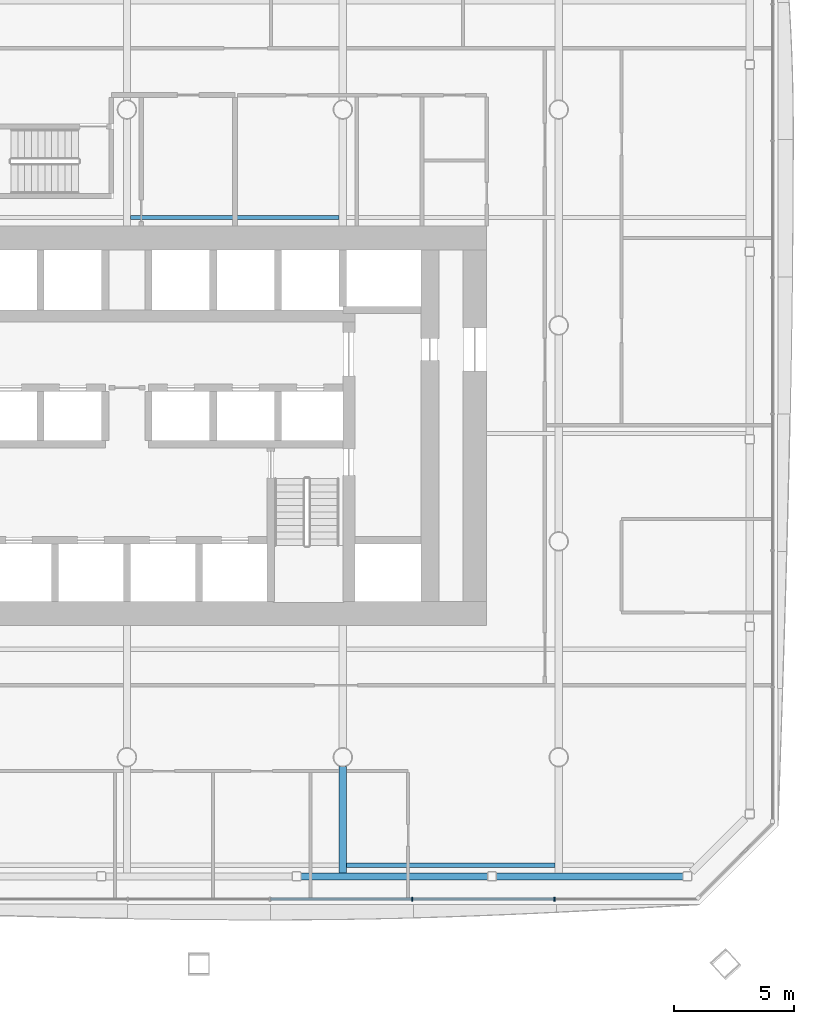
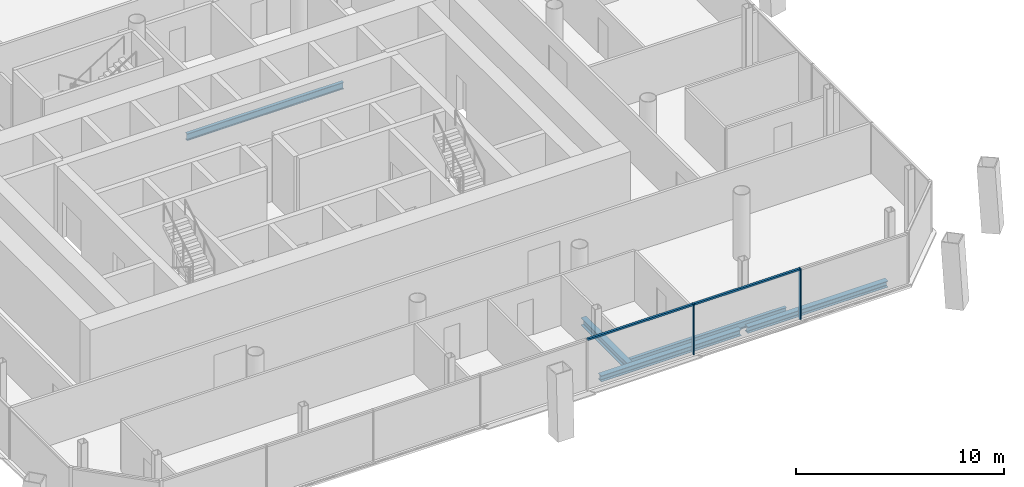
# One storey, part 5 of 19: 5 beams, 4 members, 1 element without a shape of its own.
"""IFC4 building model written with IfcOpenShell, lengths in metres."""

from ifc_helpers import new_model, si_unit, direction, frame, origin, origin_2d, place, context, subcontext, project, spatial, rectangle, i_section, extrude, material, material_profile, profile_set, type_object, element, aggregate, save


model = new_model("IFC4")

# Units and contexts
model_context = context("Model", 3, precision=1e-05, world=origin(), true_north=direction((0.0, 1.0)))
body_context = subcontext(model_context, "Body", "Model", "MODEL_VIEW")
ifc_project = project(units=[si_unit("LENGTHUNIT", "METRE"), si_unit("AREAUNIT", "SQUARE_METRE"), si_unit("VOLUMEUNIT", "CUBIC_METRE"), si_unit("PLANEANGLEUNIT", "RADIAN"), si_unit("MASSUNIT", "GRAM", prefix="KILO")], contexts=[model_context])

# Site, building, storey
site_placement = place(None, origin())
site = spatial("IfcSite", under=ifc_project, at=site_placement, CompositionType="ELEMENT")
building_placement = place(site_placement, origin())
building = spatial("IfcBuilding", under=site, at=building_placement, Name="Tskaro Facet Tower", CompositionType="ELEMENT")
storey_placement = place(building_placement, frame((0.0, 0.0, 105.0)))
storey = spatial("IfcBuildingStorey", under=building, at=storey_placement, Name="L25", CompositionType="ELEMENT", Elevation=105.0)

# Curtain wall, members
ifc_material_1 = material(Name="Bronze anodised aluminium 6063-T6", Category="aluminium")
curtain_wall_type = type_object("IfcCurtainWallType", Name="Bronze office curtain wall (FW1)", PredefinedType="NOTDEFINED", material=ifc_material_1)
curtain_wall_placement = place(storey_placement, origin())
curtain_wall = element("IfcCurtainWall", 1, at=curtain_wall_placement, inside=storey, type_object=curtain_wall_type, Name="FW1 south facet L25", PredefinedType="NOTDEFINED")
ifc_material_profile_1 = material_profile(ifc_material_1, rectangle(XDim=0.06005859375, YDim=0.159912109375, at=origin_2d()), Name="Mullion 60x160")
ifc_profile_set_1 = profile_set([ifc_material_profile_1], Name="Bronze anodised aluminium 6063-T6")
member_type_1 = type_object("IfcMemberType", Name="FW1 bronze mullion 60x160", PredefinedType="MULLION", material=ifc_profile_set_1)
member_1_placement = place(storey_placement, frame((11.895751953125, -23.9150390625, 0.0), z_axis=(0.0, 0.0, 1.0), x_axis=(1.0, 0.0, 0.0)))
member_1 = element("IfcMember", 2, at=member_1_placement, type_object=member_type_1, Name="FW1 south mullion 5", PredefinedType="MULLION", context=body_context, shape_type="SweptSolid", body=[
    extrude(rectangle(XDim=0.06005859375, YDim=0.159912109375, at=origin_2d()), origin(), (0.0, 0.0, 1.0), 2.989990234375),
])
member_2_placement = place(storey_placement, frame((17.826416015625, -23.9150390625, 0.0), z_axis=(0.0, 0.0, 1.0), x_axis=(1.0, 0.0, 0.0)))
member_2 = element("IfcMember", 3, at=member_2_placement, type_object=member_type_1, Name="FW1 south mullion 6", PredefinedType="MULLION", context=body_context, shape_type="SweptSolid", body=[
    extrude(rectangle(XDim=0.06005859375, YDim=0.159912109375, at=origin_2d()), origin(), (0.0, 0.0, 1.0), 2.989990234375),
])
ifc_material_profile_2 = material_profile(ifc_material_1, rectangle(XDim=0.1201171875, YDim=0.10009765625, at=origin_2d()), Name="Transom 120x100")
ifc_profile_set_2 = profile_set([ifc_material_profile_2], Name="Bronze anodised aluminium 6063-T6")
member_type_2 = type_object("IfcMemberType", Name="FW1 bronze transom 120x100", PredefinedType="USERDEFINED", material=ifc_profile_set_2)
member_3_placement = place(storey_placement, frame((5.995361328125, -23.9150390625, 2.93994140625), z_axis=(1.0, 0.0, 0.0), x_axis=(0.0, 1.0, 0.0)))
member_3 = element("IfcMember", 4, at=member_3_placement, type_object=member_type_2, Name="FW1 south transom 5.1", ObjectType="TRANSOM", PredefinedType="USERDEFINED", context=body_context, shape_type="SweptSolid", body=[
    extrude(rectangle(XDim=0.1201171875, YDim=0.10009765625, at=origin_2d()), origin(), (0.0, 0.0, 1.0), 5.87060546875),
])
member_4_placement = place(storey_placement, frame((11.92578125, -23.9150390625, 2.93994140625), z_axis=(1.0, 0.0, 0.0), x_axis=(0.0, 1.0, 0.0)))
member_4 = element("IfcMember", 5, at=member_4_placement, type_object=member_type_2, Name="FW1 south transom 6.1", ObjectType="TRANSOM", PredefinedType="USERDEFINED", context=body_context, shape_type="SweptSolid", body=[
    extrude(rectangle(XDim=0.1201171875, YDim=0.10009765625, at=origin_2d()), origin(), (0.0, 0.0, 1.0), 5.87060546875),
])
aggregate(curtain_wall, [member_1, member_2, member_3, member_4])

# Beams
ifc_material_2 = material(Name="Steel S355J2", Category="steel")
ifc_material_profile_3 = material_profile(ifc_material_2, i_section(OverallWidth=0.300048828125, OverallDepth=0.360107421875, WebThickness=0.012451171875, FlangeThickness=0.0224609375, FilletRadius=0.027099609375, at=origin_2d()), Name="HE 360 B")
ifc_profile_set_3 = profile_set([ifc_material_profile_3], Name="Steel S355J2")
beam_type_1 = type_object("IfcBeamType", Name="HE 360 B ring beam", PredefinedType="BEAM", material=ifc_profile_set_3)
beam_1_placement = place(storey_placement, frame((7.2529296875, -22.965087890625, -0.320068359375), z_axis=(1.0, 0.0, 0.0), x_axis=(0.0, 1.0, 0.0)))
element("IfcBeam", 6, at=beam_1_placement, inside=storey, type_object=beam_type_1, Name="HE 360 B EB4-2", PredefinedType="BEAM", context=body_context, shape_type="SweptSolid", body=[
    extrude(i_section(OverallWidth=0.300048828125, OverallDepth=0.360107421875, WebThickness=0.012451171875, FlangeThickness=0.0224609375, FilletRadius=0.027099609375, at=origin_2d()), origin(), (0.0, 0.0, 1.0), 7.78515625),
])
beam_2_placement = place(storey_placement, frame((15.39794921875, -22.965087890625, -0.320068359375), z_axis=(1.0, 0.0, 0.0), x_axis=(0.0, 1.0, 0.0)))
element("IfcBeam", 7, at=beam_2_placement, inside=storey, type_object=beam_type_1, Name="HE 360 B EB5-2", PredefinedType="BEAM", context=body_context, shape_type="SweptSolid", body=[
    extrude(i_section(OverallWidth=0.300048828125, OverallDepth=0.360107421875, WebThickness=0.012451171875, FlangeThickness=0.0224609375, FilletRadius=0.027099609375, at=origin_2d()), origin(), (0.0, 0.0, 1.0), 7.7861328125),
])
ifc_material_profile_4 = material_profile(ifc_material_2, i_section(OverallWidth=0.300048828125, OverallDepth=0.43994140625, WebThickness=0.011474609375, FlangeThickness=0.02099609375, FilletRadius=0.027099609375, at=origin_2d()), Name="HE 450 A")
ifc_profile_set_4 = profile_set([ifc_material_profile_4], Name="Steel S355J2")
beam_type_2 = type_object("IfcBeamType", Name="HE 450 A girder", PredefinedType="BEAM", material=ifc_profile_set_4)
beam_3_placement = place(storey_placement, frame((9.0, -22.81494140625, -0.360107421875), z_axis=(0.0, 1.0, 0.0), x_axis=(-1.0, 0.0, 0.0)))
element("IfcBeam", 8, at=beam_3_placement, inside=storey, type_object=beam_type_2, Name="HE 450 A GB5-1-2", PredefinedType="BEAM", context=body_context, shape_type="SweptSolid", body=[
    extrude(i_section(OverallWidth=0.300048828125, OverallDepth=0.43994140625, WebThickness=0.011474609375, FlangeThickness=0.02099609375, FilletRadius=0.027099609375, at=origin_2d()), origin(), (0.0, 0.0, 1.0), 4.4384765625),
])
ifc_material_profile_5 = material_profile(ifc_material_2, i_section(OverallWidth=0.179931640625, OverallDepth=0.39990234375, WebThickness=0.008544921875, FlangeThickness=0.013427734375, FilletRadius=0.02099609375, at=origin_2d()), Name="IPE 400")
ifc_profile_set_5 = profile_set([ifc_material_profile_5], Name="Steel S355J2")
beam_type_3 = type_object("IfcBeamType", Name="IPE 400 secondary beam", PredefinedType="BEAM", material=ifc_profile_set_5)
for number, where, z_axis, x_axis, name in (
    (9, (9.14990234375, -22.5, -0.340087890625), (1.0, 0.0, 0.0), (0.0, 1.0, 0.0), "IPE 400 SB1a-4-2"),
    (10, (0.14990234375, 4.5, -0.340087890625), (1.0, 0.0, 0.0), (0.0, 1.0, 0.0), "IPE 400 SB4a-3-2"),
):
    element("IfcBeam", number, at=place(storey_placement, frame(where, z_axis=z_axis, x_axis=x_axis)), inside=storey, type_object=beam_type_3, Name=name, PredefinedType="BEAM", context=body_context, shape_type="SweptSolid", body=[
        extrude(i_section(OverallWidth=0.179931640625, OverallDepth=0.39990234375, WebThickness=0.008544921875, FlangeThickness=0.013427734375, FilletRadius=0.02099609375, at=origin_2d()), origin(), (0.0, 0.0, 1.0), 8.7001953125),
    ])

save(model, "model.ifc")
